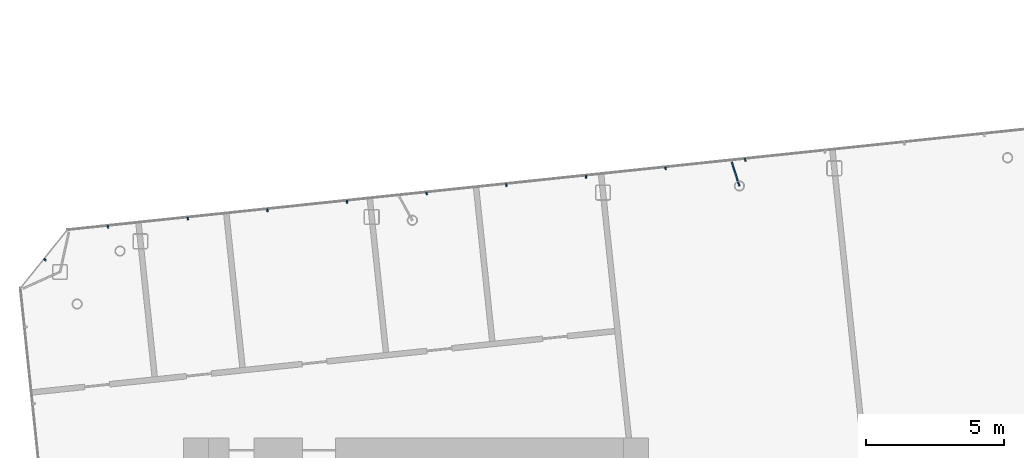
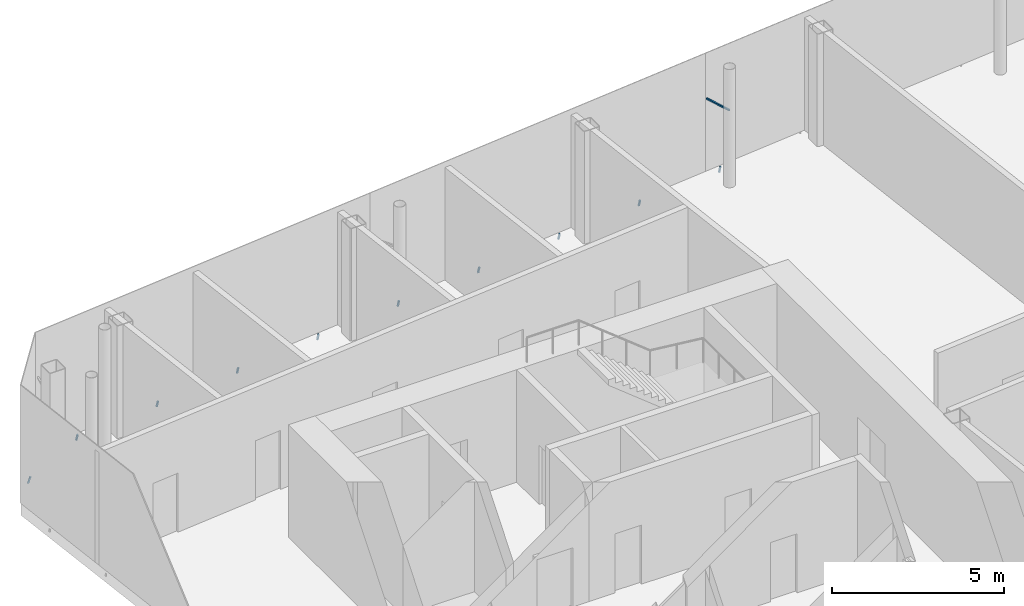
# One storey, part 21 of 28: 11 discrete accessories.
"""IFC4 building model written with IfcOpenShell, lengths in metres."""

from ifc_helpers import new_model, si_unit, direction, frame, origin, origin_2d, place, context, subcontext, project, spatial, rectangle, extrude, material, material_profile, profile_set, type_object, element, save


model = new_model("IFC4")

# Units and contexts
model_context = context("Model", 3, precision=1e-05, world=origin(), true_north=direction((0.0, 1.0)))
body_context = subcontext(model_context, "Body", "Model", "MODEL_VIEW")
ifc_project = project(units=[si_unit("LENGTHUNIT", "METRE"), si_unit("AREAUNIT", "SQUARE_METRE"), si_unit("VOLUMEUNIT", "CUBIC_METRE"), si_unit("PLANEANGLEUNIT", "RADIAN"), si_unit("MASSUNIT", "GRAM", prefix="KILO")], contexts=[model_context])

# Site, building, storey
site_placement = place(None, origin())
site = spatial("IfcSite", under=ifc_project, at=site_placement, CompositionType="ELEMENT")
building_placement = place(site_placement, origin())
building = spatial("IfcBuilding", under=site, at=building_placement, Name="Hakoniwa Tower and Hamabe Station Hall", CompositionType="ELEMENT")
storey_placement = place(building_placement, frame((0.0, 0.0, 280.800048828125)))
storey = spatial("IfcBuildingStorey", under=building, at=storey_placement, Name="L78", CompositionType="ELEMENT", Elevation=280.800048828125)

# Discrete accessories
ifc_material = material(Name="Stainless steel SUS304", Category="steel")
ifc_material_profile = material_profile(ifc_material, rectangle(XDim=0.050048828125, YDim=0.050048828125, at=origin_2d()), Name="CW-4 GLAZING BRACKET 50X50")
ifc_profile_set = profile_set([ifc_material_profile], Name="Stainless steel SUS304")
discrete_accessory_type = type_object("IfcDiscreteAccessoryType", Name="CW-4 GLAZING BRACKET 50X50", PredefinedType="BRACKET", material=ifc_profile_set)
discrete_accessory_placement = place(storey_placement, frame((-13.796142578125, 18.354736328125, 2.63330078125), z_axis=(0.307618759229, -0.951509694628, 0.0), x_axis=(0.951509694628, 0.307618759229, 0.0)))
element("IfcDiscreteAccessory", 1, at=discrete_accessory_placement, inside=storey, type_object=discrete_accessory_type, Name="Glazing bracket", PredefinedType="BRACKET", context=body_context, shape_type="SweptSolid", body=[
    extrude(rectangle(XDim=0.050048828125, YDim=0.050048828125, at=origin_2d()), origin(), (0.0, 0.0, 1.0), 0.903076171875),
])
for number, where, z_axis, x_axis, name in (
    (2, (-38.580078125, 14.816162109375, 0.0), (-0.200191497512, 0.161410945638, -0.966369427782), (-0.627672782255, -0.778477281888, 0.0), "Glazing bracket"),
    (3, (-36.3154296875, 15.98779296875, 0.0), (-0.027243657589, 0.256719081131, -0.966102011438), (-0.994416132921, -0.10552987533, 0.0), "Glazing bracket"),
    (4, (-33.439208984375, 16.2900390625, 0.0), (-0.026196558062, 0.256726269009, -0.96612906133), (-0.994834142531, -0.101513688013, 0.0), "Glazing bracket"),
    (5, (-30.562744140625, 16.592529296875, 0.0), (-0.027250974089, 0.255739910677, -0.966361465756), (-0.994370656274, -0.105957528947, 0.0), "Glazing bracket"),
    (6, (-27.686279296875, 16.894775390625, 0.0), (-0.027243657589, 0.256719081131, -0.966102011438), (-0.994416132921, -0.10552987533, 0.0), "Glazing bracket"),
    (7, (-24.81005859375, 17.197021484375, 0.0), (-0.026196558062, 0.256726269009, -0.96612906133), (-0.994834142531, -0.101513688013, 0.0), "Glazing bracket"),
    (8, (-21.93359375, 17.49951171875, 0.0), (-0.027250974089, 0.255739910677, -0.966361465756), (-0.994370656274, -0.105957528947, 0.0), "Glazing bracket"),
    (9, (-19.05712890625, 17.8017578125, 0.0), (-0.027243657589, 0.256719081131, -0.966102011438), (-0.994416132921, -0.10552987533, 0.0), "Glazing bracket"),
    (10, (-16.180908203125, 18.10400390625, 0.0), (-0.027243657589, 0.256719081131, -0.966102011438), (-0.994416132921, -0.10552987533, 0.0), "Glazing bracket"),
    (11, (-13.304443359375, 18.406494140625, 0.0), (-0.027250974089, 0.255739910677, -0.966361465756), (-0.994370656274, -0.105957528947, 0.0), "Glazing bracket"),
):
    element("IfcDiscreteAccessory", number, at=place(storey_placement, frame(where, z_axis=z_axis, x_axis=x_axis)), inside=storey, type_object=discrete_accessory_type, Name=name, PredefinedType="BRACKET", context=body_context, shape_type="SweptSolid", body=[
        extrude(rectangle(XDim=0.050048828125, YDim=0.050048828125, at=origin_2d()), origin(), (0.0, 0.0, 1.0), 0.23291015625),
    ])

save(model, "model.ifc")
